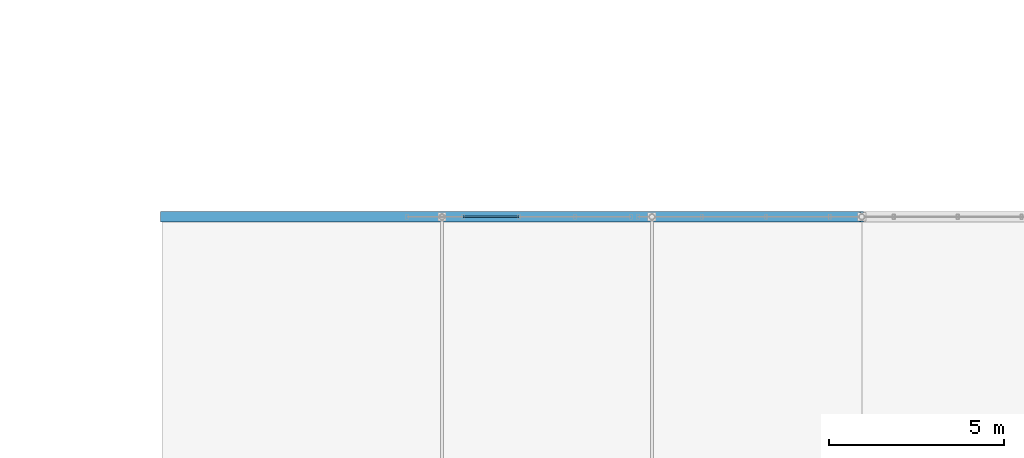
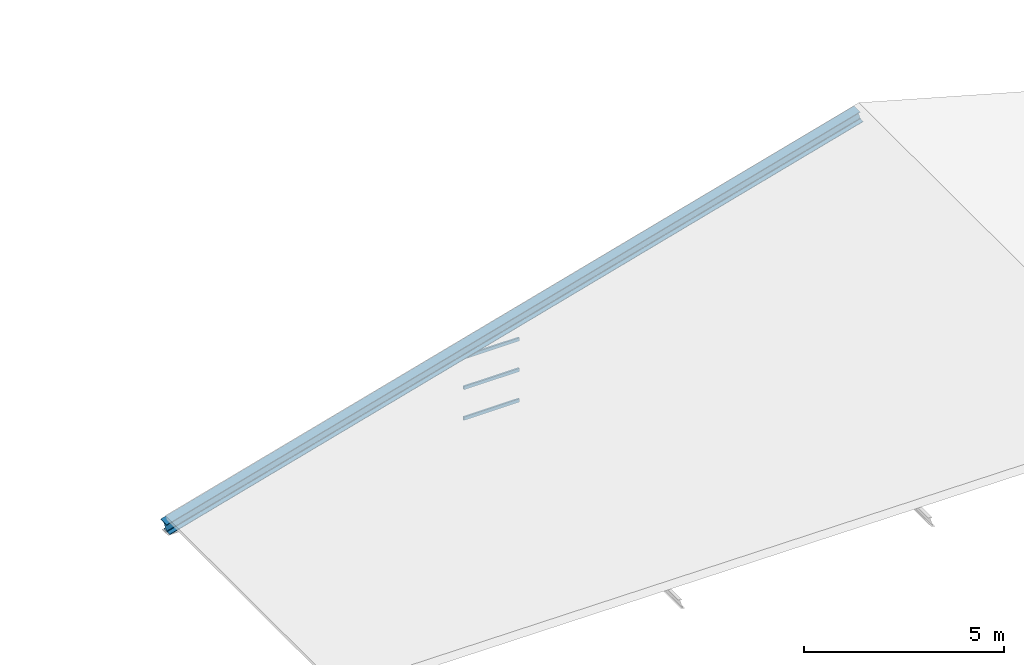
# One storey, part 27 of 49: 4 members, 1 element without a shape of its own.
"""IFC4 building model written with IfcOpenShell, lengths in metres."""

from ifc_helpers import new_model, si_unit, direction, frame, origin, origin_2d, place, context, subcontext, project, spatial, hollow_rectangle, i_section, extrude, material, material_profile, profile_set, type_object, element, aggregate, save


model = new_model("IFC4")

# Units and contexts
model_context = context("Model", 3, precision=1e-05, world=origin(), true_north=direction((0.0, 1.0)))
body_context = subcontext(model_context, "Body", "Model", "MODEL_VIEW")
ifc_project = project(units=[si_unit("LENGTHUNIT", "METRE"), si_unit("AREAUNIT", "SQUARE_METRE"), si_unit("VOLUMEUNIT", "CUBIC_METRE"), si_unit("PLANEANGLEUNIT", "RADIAN"), si_unit("MASSUNIT", "GRAM", prefix="KILO")], contexts=[model_context])

# Site, building, storey
site_placement = place(None, origin())
site = spatial("IfcSite", under=ifc_project, at=site_placement, CompositionType="ELEMENT")
building_placement = place(site_placement, origin())
building = spatial("IfcBuilding", under=site, at=building_placement, Name="Sundkrona Museum", CompositionType="ELEMENT")
storey_placement = place(building_placement, frame((0.0, 0.0, 26.0)))
storey = spatial("IfcBuildingStorey", under=building, at=storey_placement, Name="L05", CompositionType="ELEMENT", Elevation=26.0)

# Member
ifc_material_1 = material(Name="Steel S355J2", Category="steel")
ifc_material_profile_1 = material_profile(ifc_material_1, i_section(OverallWidth=0.300048828125, OverallDepth=0.35009765625, WebThickness=0.010009765625, FlangeThickness=0.017578125, FilletRadius=0.027099609375, at=origin_2d()), Name="HEA 360")
ifc_profile_set_1 = profile_set([ifc_material_profile_1], Name="Steel S355J2")
member_type_1 = type_object("IfcMemberType", Name="TC-HEA360", PredefinedType="CHORD", material=ifc_profile_set_1)
member_1_placement = place(storey_placement, frame((80.0, 40.0, -0.39990234375), z_axis=(0.963039069801, 0.0, 0.269361745683), x_axis=(0.0, 1.0, 0.0)))
element("IfcMember", 1, at=member_1_placement, inside=storey, type_object=member_type_1, Name="RFS-1 Atrium Truss 6 West Rafter Chord", PredefinedType="CHORD", context=body_context, shape_type="SweptSolid", body=[
    extrude(i_section(OverallWidth=0.300048828125, OverallDepth=0.35009765625, WebThickness=0.010009765625, FlangeThickness=0.017578125, FilletRadius=0.027099609375, at=origin_2d()), origin(), (0.0, 0.0, 1.0), 20.767578125),
])

# Curtain wall, members
ifc_material_2 = material(Name="Unitised Aluminium-Steel and Ceramic-Clad Curtain Walling", Category="steel")
curtain_wall_type = type_object("IfcCurtainWallType", Name="CW-SW-240x13", PredefinedType="NOTDEFINED", material=ifc_material_2)
curtain_wall_placement = place(storey_placement, origin())
curtain_wall = element("IfcCurtainWall", 2, at=curtain_wall_placement, inside=storey, type_object=curtain_wall_type, Name="Atrium N Glazed Gable Tympanum 2", PredefinedType="NOTDEFINED")
ifc_material_3 = material(Name="Aluminium EN AW-6060 T66", Category="aluminium")
ifc_material_profile_2 = material_profile(ifc_material_3, hollow_rectangle(XDim=0.050048828125, YDim=0.10009765625, WallThickness=0.0048828125, at=origin_2d()), Name="RHS 100x50x5.0")
ifc_profile_set_2 = profile_set([ifc_material_profile_2], Name="Aluminium EN AW-6060 T66")
member_type_2 = type_object("IfcMemberType", Name="TR-100", PredefinedType="USERDEFINED", material=ifc_profile_set_2)
member_2_placement = place(storey_placement, frame((88.60009765625, 40.0, -0.10009765625), z_axis=(1.0, 0.0, 0.0), x_axis=(0.0, 1.0, 0.0)))
member_2 = element("IfcMember", 3, at=member_2_placement, type_object=member_type_2, Name="CW-ATR-GBL-N2 Transom 04", ObjectType="TRANSOM", PredefinedType="USERDEFINED", context=body_context, shape_type="SweptSolid", body=[
    extrude(hollow_rectangle(XDim=0.050048828125, YDim=0.10009765625, WallThickness=0.0048828125, at=origin_2d()), origin(), (0.0, 0.0, 1.0), 1.599853515625),
])
member_3_placement = place(storey_placement, frame((88.60009765625, 40.0, 0.83203125), z_axis=(1.0, 0.0, 0.0), x_axis=(0.0, 1.0, 0.0)))
member_3 = element("IfcMember", 4, at=member_3_placement, type_object=member_type_2, Name="CW-ATR-GBL-N2 Transom 05", ObjectType="TRANSOM", PredefinedType="USERDEFINED", context=body_context, shape_type="SweptSolid", body=[
    extrude(hollow_rectangle(XDim=0.050048828125, YDim=0.10009765625, WallThickness=0.0048828125, at=origin_2d()), origin(), (0.0, 0.0, 1.0), 1.599853515625),
])
member_4_placement = place(storey_placement, frame((88.60009765625, 40.0, 1.763916015625), z_axis=(1.0, 0.0, 0.0), x_axis=(0.0, 1.0, 0.0)))
member_4 = element("IfcMember", 5, at=member_4_placement, type_object=member_type_2, Name="CW-ATR-GBL-N2 Transom 06", ObjectType="TRANSOM", PredefinedType="USERDEFINED", context=body_context, shape_type="SweptSolid", body=[
    extrude(hollow_rectangle(XDim=0.050048828125, YDim=0.10009765625, WallThickness=0.0048828125, at=origin_2d()), origin(), (0.0, 0.0, 1.0), 1.599853515625),
])
aggregate(curtain_wall, [member_2, member_3, member_4])

save(model, "model.ifc")
